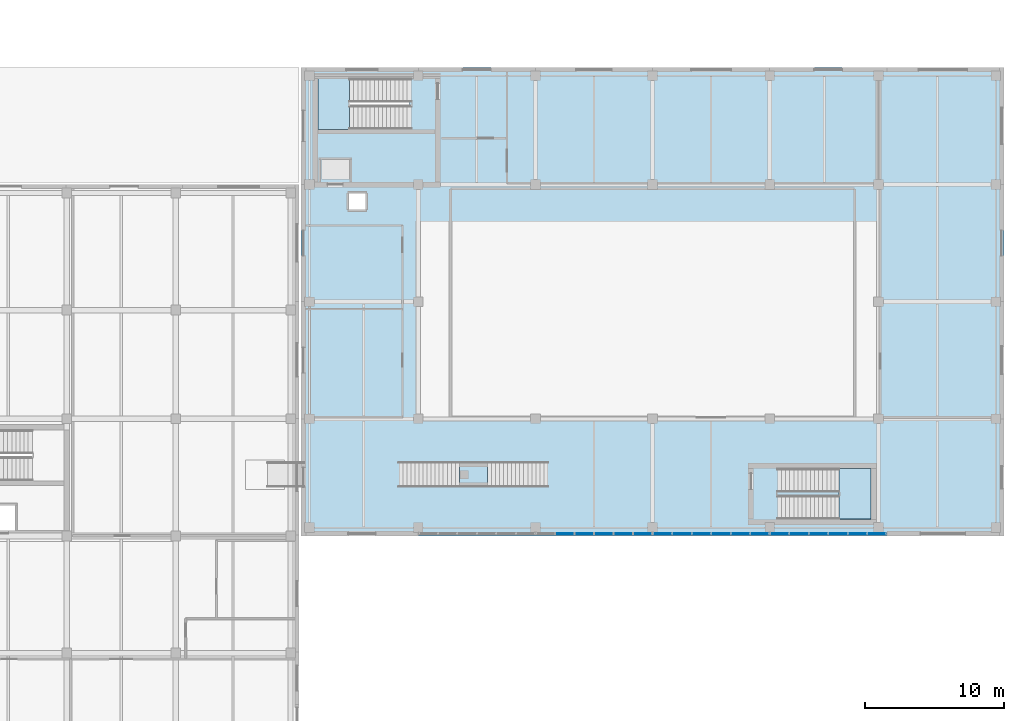
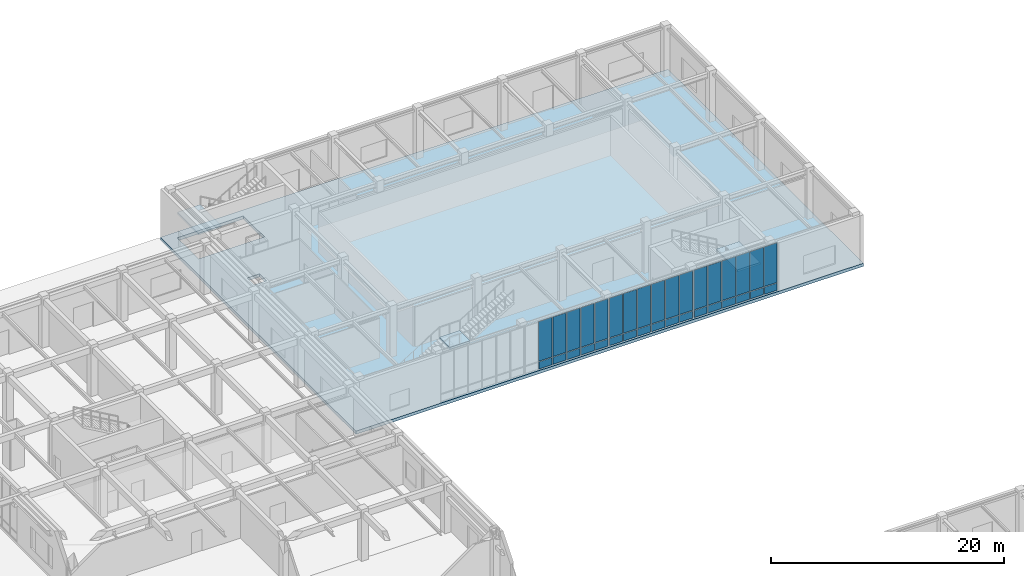
# One storey, part 89 of 122: 34 plates, 4 slabs, 6 elements without a shape of their own.
"""IFC4 building model written with IfcOpenShell, lengths in metres."""

import ifcopenshell
import ifcopenshell.guid

model = None  # the IFC model being written
_history = None  # IfcOwnerHistory: only IFC2X3 demands one
_inside = {}  # id of a spatial element -> (the spatial element, [elements in it])
_under = {}  # id of a project, library or spatial element -> (it, [spatial elements below it])
_declared = {}  # id of a project -> (the project, [libraries it declares])
_typed = {}  # id of a type object -> (the type object, [elements of that type])
_made_of = {}  # id of a material, layer set ... -> (it, [elements and type objects made of it])


def new_model(schema):
    """Start an empty IFC model of exactly this schema.

    Asked for "IFC4X3", IfcOpenShell would pick the latest addendum, in which some entities
    have other attributes; the version numbers below select the first issue.
    IFC2X3 requires an IfcOwnerHistory on every rooted entity: one is made here for all.
    """
    global model, _history
    if schema == "IFC4X3":
        model = ifcopenshell.file(schema_version=(4, 3, 0, 0))
    else:
        model = ifcopenshell.file(schema=schema)
    _inside.clear()
    _under.clear()
    _declared.clear()
    _typed.clear()
    _made_of.clear()
    _history = None
    if model.schema == "IFC2X3":
        org = make("IfcOrganization", Name="unknown")
        user = make(
            "IfcPersonAndOrganization",
            ThePerson=make("IfcPerson", FamilyName="unknown"),
            TheOrganization=org,
        )
        app = make(
            "IfcApplication",
            ApplicationDeveloper=org,
            Version="unknown",
            ApplicationFullName="unknown",
            ApplicationIdentifier="unknown",
        )
        _history = make(
            "IfcOwnerHistory",
            OwningUser=user,
            OwningApplication=app,
            ChangeAction="ADDED",
            CreationDate=0,
        )
    return model


def make(cls, **values):
    """One entity of the class cls with the attributes given. An attribute that is None is left unset."""
    return model.create_entity(
        cls, **{name: value for name, value in values.items() if value is not None}
    )


def rooted(cls, **values):
    """An entity with a GlobalId (a new one), such as an element, a storey or a relation."""
    return make(cls, GlobalId=ifcopenshell.guid.new(), OwnerHistory=_history, **values)


def si_unit(unit_type, name, prefix=None):
    """IfcSIUnit, for example si_unit("LENGTHUNIT", "METRE", prefix="MILLI")."""
    return make("IfcSIUnit", UnitType=unit_type, Prefix=prefix, Name=name)


def assignment(units):
    """IfcUnitAssignment: the units of a project."""
    return None if units is None else make("IfcUnitAssignment", Units=units)


def point(xyz):
    """IfcCartesianPoint."""
    return None if xyz is None else make("IfcCartesianPoint", Coordinates=xyz)


def direction(xyz):
    """IfcDirection."""
    return None if xyz is None else make("IfcDirection", DirectionRatios=xyz)


def frame(location, z_axis=None, x_axis=None):
    """IfcAxis2Placement3D, a coordinate frame: its origin and axes. An axis left out is left unset."""
    return make(
        "IfcAxis2Placement3D",
        Location=point(location),
        Axis=direction(z_axis),
        RefDirection=direction(x_axis),
    )


def frame_2d(location, x_axis=None):
    """IfcAxis2Placement2D, a coordinate frame in the plane: its origin and x axis."""
    return make(
        "IfcAxis2Placement2D", Location=point(location), RefDirection=direction(x_axis)
    )


def origin():
    """The frame at (0, 0, 0) with its axes left unset."""
    return frame((0.0, 0.0, 0.0))


def origin_2d():
    """The frame at (0, 0) in the plane with its x axis left unset."""
    return frame_2d((0.0, 0.0))


def place(relative_to, where):
    """IfcLocalPlacement: puts the frame where relative to a parent placement (None: the world)."""
    return make(
        "IfcLocalPlacement", PlacementRelTo=relative_to, RelativePlacement=where
    )


def context(
    kind, dimensions, precision=None, world=None, true_north=None, identifier=None
):
    """IfcGeometricRepresentationContext, for example the 3D "Model" context."""
    return make(
        "IfcGeometricRepresentationContext",
        ContextIdentifier=identifier,
        ContextType=kind,
        CoordinateSpaceDimension=dimensions,
        Precision=precision,
        WorldCoordinateSystem=world,
        TrueNorth=true_north,
    )


def subcontext(parent, identifier, kind, view, scale=None):
    """IfcGeometricRepresentationSubContext, for example "Body" below "Model"."""
    return make(
        "IfcGeometricRepresentationSubContext",
        ContextIdentifier=identifier,
        ContextType=kind,
        ParentContext=parent,
        TargetScale=scale,
        TargetView=view,
    )


def project(units=None, contexts=None):
    """IfcProject with its units and contexts."""
    return rooted(
        "IfcProject",
        Name="project",
        RepresentationContexts=contexts,
        UnitsInContext=assignment(units),
    )


def spatial(cls, under=None, at=None, **own):
    """A site, building, storey or space (cls), placed at a placement, below another one or the project."""
    s = rooted(cls, ObjectPlacement=at, **own)
    if under is not None:
        _under.setdefault(under.id(), (under, []))[1].append(s)
    return s


def polyline(points):
    """IfcPolyline through the points."""
    return make("IfcPolyline", Points=[point(p) for p in points])


def profile(cls, at=None, kind="AREA", **sizes):
    """A parametric profile (cls). Its sizes go by their IFC names, for example OverallWidth=200.0."""
    return make(cls, ProfileType=kind, Position=at, **sizes)


def rectangle(**sizes):
    """IfcRectangleProfileDef."""
    return profile("IfcRectangleProfileDef", **sizes)


def outline(outer, holes=None, kind="AREA"):
    """IfcArbitraryClosedProfileDef: a profile drawn as a closed curve; with holes, ...WithVoids."""
    if holes is None:
        return make("IfcArbitraryClosedProfileDef", ProfileType=kind, OuterCurve=outer)
    return make(
        "IfcArbitraryProfileDefWithVoids",
        ProfileType=kind,
        OuterCurve=outer,
        InnerCurves=holes,
    )


def extrude(swept, where, along, depth):
    """IfcExtrudedAreaSolid: the profile swept, set in the frame where, extruded along a direction by depth."""
    return make(
        "IfcExtrudedAreaSolid",
        SweptArea=swept,
        Position=where,
        ExtrudedDirection=direction(along),
        Depth=depth,
    )


def shape(context_of_items, identifier, shape_type, items):
    """IfcShapeRepresentation: the items that make up one representation, for example the "Body"."""
    return make(
        "IfcShapeRepresentation",
        ContextOfItems=context_of_items,
        RepresentationIdentifier=identifier,
        RepresentationType=shape_type,
        Items=items,
    )


def material(Name=None, Category=None):
    """IfcMaterial."""
    return make("IfcMaterial", Name=Name, Category=Category)


def layer(
    of_material, thickness, ventilated=None, Name=None, Category=None, Priority=None
):
    """IfcMaterialLayer: one layer of a wall or slab, of a material (None: an air gap)."""
    return make(
        "IfcMaterialLayer",
        Material=of_material,
        LayerThickness=thickness,
        IsVentilated=ventilated,
        Name=Name,
        Category=Category,
        Priority=Priority,
    )


def layer_set(layers, Name=None):
    """IfcMaterialLayerSet."""
    return make("IfcMaterialLayerSet", MaterialLayers=layers, LayerSetName=Name)


def made_of(thing, what):
    """Note that an element or type object is made of a material, layer set ...; save() writes the relation."""
    if what is not None:
        _made_of.setdefault(what.id(), (what, []))[1].append(thing)
    return thing


def type_object(cls, material=None, **own):
    """A type object (cls), such as IfcWallType, which elements share."""
    return made_of(rooted(cls, **own), material)


def element(
    cls,
    number,
    at=None,
    inside=None,
    cuts=None,
    type_object=None,
    material=None,
    context=None,
    identifier="Body",
    shape_type=None,
    held_by="IfcProductDefinitionShape",
    body=None,
    shapes=None,
    **own,
):
    """One element of the class cls, such as IfcWall. Its Tag is "e" and its number.

    at: its placement. inside: the storey or other place that contains it. cuts: it is an
    opening in that element (IfcRelVoidsElement). A single representation is given by context,
    identifier, shape_type and body (its items); several are given by shapes. held_by: the class
    of the entity that holds the representations. save() writes the other relations.
    """
    e = rooted(cls, Tag="e%d" % number, ObjectPlacement=at, **own)
    if body is not None:
        shapes = [shape(context, identifier, shape_type, body)]
    if shapes is not None:
        e.Representation = make(held_by, Representations=shapes)
    if inside is not None:
        _inside.setdefault(inside.id(), (inside, []))[1].append(e)
    if cuts is not None:
        rooted(
            "IfcRelVoidsElement", RelatingBuildingElement=cuts, RelatedOpeningElement=e
        )
    if type_object is not None:
        _typed.setdefault(type_object.id(), (type_object, []))[1].append(e)
    return made_of(e, material)


def aggregate(whole, parts):
    """IfcRelAggregates: a whole, such as a stair, and the parts it consists of."""
    return rooted("IfcRelAggregates", RelatingObject=whole, RelatedObjects=parts)


def save(model, path):
    """Write the relations noted so far, then the file.

    IfcRelAggregates (storeys below a building ...), IfcRelContainedInSpatialStructure (elements
    in a storey), IfcRelDefinesByType, IfcRelAssociatesMaterial and IfcRelDeclares: one each for
    every whole, place, type object, material and project.
    """
    for whole, parts in _under.values():
        aggregate(whole, parts)
    for where, things in _inside.values():
        rooted(
            "IfcRelContainedInSpatialStructure",
            RelatedElements=things,
            RelatingStructure=where,
        )
    for kind, things in _typed.values():
        rooted("IfcRelDefinesByType", RelatedObjects=things, RelatingType=kind)
    for what, things in _made_of.values():
        rooted("IfcRelAssociatesMaterial", RelatedObjects=things, RelatingMaterial=what)
    for by, libraries in _declared.values():
        rooted("IfcRelDeclares", RelatingContext=by, RelatedDefinitions=libraries)
    model.write(path)


model = new_model("IFC4")

# Units and contexts
model_context = context("Model", 3, precision=1e-05, world=origin(), true_north=direction((0.0, 1.0)))
body_context = subcontext(model_context, "Body", "Model", "MODEL_VIEW")
ifc_project = project(units=[si_unit("LENGTHUNIT", "METRE"), si_unit("AREAUNIT", "SQUARE_METRE"), si_unit("VOLUMEUNIT", "CUBIC_METRE"), si_unit("PLANEANGLEUNIT", "RADIAN"), si_unit("MASSUNIT", "GRAM", prefix="KILO")], contexts=[model_context])

# Site, building, storey
site_placement = place(None, origin())
site = spatial("IfcSite", under=ifc_project, at=site_placement, CompositionType="ELEMENT")
building_placement = place(site_placement, origin())
building = spatial("IfcBuilding", under=site, at=building_placement, Name="Zayran Congress Hotel", CompositionType="ELEMENT")
storey_placement = place(building_placement, origin())
storey = spatial("IfcBuildingStorey", under=building, at=storey_placement, Name="L00", CompositionType="ELEMENT", Elevation=0.0)

# Slab
ifc_material_1 = material(Name="Concrete C32/40", Category="concrete")
ifc_layer_1 = layer(ifc_material_1, 0.320068359375)
ifc_layer_set_1 = layer_set([ifc_layer_1], Name="Concrete C32/40")
slab_type_1 = type_object("IfcSlabType", Name="SL-PD-320", PredefinedType="FLOOR", material=ifc_layer_set_1)
slab_1_placement = place(storey_placement, frame((0.0, 0.0, -0.320068359375)))
element("IfcSlab", 1, at=slab_1_placement, inside=storey, type_object=slab_type_1, Name="SLB-V2-L00-009", PredefinedType="FLOOR", context=body_context, shape_type="SweptSolid", body=[
    extrude(outline(polyline([(142.800048828125, 84.39990234375), (193.199951171875, 84.39990234375), (193.199951171875, 118.0), (142.800048828125, 118.0), (142.800048828125, 84.39990234375)]), holes=[polyline([(144.0, 113.56005859375), (150.56005859375, 113.56005859375), (150.56005859375, 117.199951171875), (144.0, 117.199951171875), (144.0, 113.56005859375)]), polyline([(146.199951171875, 107.800048828125), (147.419921875, 107.800048828125), (147.419921875, 108.97998046875), (146.199951171875, 108.97998046875), (146.199951171875, 107.800048828125)])]), origin(), (0.0, 0.0, 1.0), 0.320068359375),
])

# Curtain wall, plates
ifc_material_2 = material(Name="Anodised aluminium and low-E insulated glass", Category="aluminium")
ifc_layer_2 = layer(ifc_material_2, 0.179931640625)
ifc_layer_set_2 = layer_set([ifc_layer_2], Name="Anodised aluminium and low-E insulated glass")
curtain_wall_type_1 = type_object("IfcCurtainWallType", Name="CW-V2S-L00-CW-V21-8395-5080", PredefinedType="USERDEFINED", material=ifc_layer_set_2)
curtain_wall_1_placement = place(storey_placement, origin())
curtain_wall_1 = element("IfcCurtainWall", 2, at=curtain_wall_1_placement, inside=storey, type_object=curtain_wall_type_1, Name="CW-V2S-L00-4", ObjectType="CURTAIN WALL", PredefinedType="USERDEFINED")
ifc_layer_3 = layer(ifc_material_2, 0.028076171875)
ifc_layer_set_3 = layer_set([ifc_layer_3], Name="Anodised aluminium and low-E insulated glass")
plate_type_1 = type_object("IfcPlateType", Name="CWP-GL-1279-4150", PredefinedType="CURTAIN_PANEL", material=ifc_layer_set_3)
plate_1_placement = place(storey_placement, frame((177.12451171875, 84.570068359375, 0.8701171875), z_axis=(0.0, 0.0, 1.0), x_axis=(1.0, 0.0, 0.0)))
plate_1 = element("IfcPlate", 3, at=plate_1_placement, type_object=plate_type_1, Name="CW-V21 Glazed Panel 1", PredefinedType="CURTAIN_PANEL", context=body_context, shape_type="SweptSolid", body=[
    extrude(rectangle(XDim=1.279296875, YDim=0.028076171875, at=origin_2d()), origin(), (0.0, 0.0, 1.0), 4.14990234375),
])
plate_2_placement = place(storey_placement, frame((178.503662109375, 84.570068359375, 0.8701171875), z_axis=(0.0, 0.0, 1.0), x_axis=(1.0, 0.0, 0.0)))
plate_2 = element("IfcPlate", 4, at=plate_2_placement, type_object=plate_type_1, Name="CW-V21 Glazed Panel 2", PredefinedType="CURTAIN_PANEL", context=body_context, shape_type="SweptSolid", body=[
    extrude(rectangle(XDim=1.319091796875, YDim=0.028076171875, at=origin_2d()), origin(), (0.0, 0.0, 1.0), 4.14990234375),
])
plate_3_placement = place(storey_placement, frame((179.90283203125, 84.570068359375, 0.8701171875), z_axis=(0.0, 0.0, 1.0), x_axis=(1.0, 0.0, 0.0)))
plate_3 = element("IfcPlate", 5, at=plate_3_placement, type_object=plate_type_1, Name="CW-V21 Glazed Panel 3", PredefinedType="CURTAIN_PANEL", context=body_context, shape_type="SweptSolid", body=[
    extrude(rectangle(XDim=1.319091796875, YDim=0.028076171875, at=origin_2d()), origin(), (0.0, 0.0, 1.0), 4.14990234375),
])
plate_4_placement = place(storey_placement, frame((181.302001953125, 84.570068359375, 0.8701171875), z_axis=(0.0, 0.0, 1.0), x_axis=(1.0, 0.0, 0.0)))
plate_4 = element("IfcPlate", 6, at=plate_4_placement, type_object=plate_type_1, Name="CW-V21 Glazed Panel 4", PredefinedType="CURTAIN_PANEL", context=body_context, shape_type="SweptSolid", body=[
    extrude(rectangle(XDim=1.319091796875, YDim=0.028076171875, at=origin_2d()), origin(), (0.0, 0.0, 1.0), 4.14990234375),
])
plate_5_placement = place(storey_placement, frame((182.701416015625, 84.570068359375, 0.8701171875), z_axis=(0.0, 0.0, 1.0), x_axis=(1.0, 0.0, 0.0)))
plate_5 = element("IfcPlate", 7, at=plate_5_placement, type_object=plate_type_1, Name="CW-V21 Glazed Panel 5", PredefinedType="CURTAIN_PANEL", context=body_context, shape_type="SweptSolid", body=[
    extrude(rectangle(XDim=1.319091796875, YDim=0.028076171875, at=origin_2d()), origin(), (0.0, 0.0, 1.0), 4.14990234375),
])
plate_6_placement = place(storey_placement, frame((184.080322265625, 84.570068359375, 0.8701171875), z_axis=(0.0, 0.0, 1.0), x_axis=(1.0, 0.0, 0.0)))
plate_6 = element("IfcPlate", 8, at=plate_6_placement, type_object=plate_type_1, Name="CW-V21 Glazed Panel 6", PredefinedType="CURTAIN_PANEL", context=body_context, shape_type="SweptSolid", body=[
    extrude(rectangle(XDim=1.279296875, YDim=0.028076171875, at=origin_2d()), origin(), (0.0, 0.0, 1.0), 4.14990234375),
])
ifc_material_3 = material(Name="Insulated warm bronze aluminium spandrel panel", Category="aluminium")
ifc_layer_4 = layer(ifc_material_3, 0.06005859375)
ifc_layer_set_4 = layer_set([ifc_layer_4], Name="Insulated warm bronze aluminium spandrel panel")
plate_type_2 = type_object("IfcPlateType", Name="CWP-SP-1279-750", PredefinedType="CURTAIN_PANEL", material=ifc_layer_set_4)
plate_7_placement = place(storey_placement, frame((177.12451171875, 84.570068359375, 0.06005859375), z_axis=(0.0, 0.0, 1.0), x_axis=(1.0, 0.0, 0.0)))
plate_7 = element("IfcPlate", 9, at=plate_7_placement, type_object=plate_type_2, Name="CW-V21 Spandrel Panel 1", PredefinedType="CURTAIN_PANEL", context=body_context, shape_type="SweptSolid", body=[
    extrude(rectangle(XDim=1.279296875, YDim=0.06005859375, at=origin_2d()), origin(), (0.0, 0.0, 1.0), 0.75),
])
plate_8_placement = place(storey_placement, frame((178.503662109375, 84.570068359375, 0.06005859375), z_axis=(0.0, 0.0, 1.0), x_axis=(1.0, 0.0, 0.0)))
plate_8 = element("IfcPlate", 10, at=plate_8_placement, type_object=plate_type_2, Name="CW-V21 Spandrel Panel 2", PredefinedType="CURTAIN_PANEL", context=body_context, shape_type="SweptSolid", body=[
    extrude(rectangle(XDim=1.319091796875, YDim=0.06005859375, at=origin_2d()), origin(), (0.0, 0.0, 1.0), 0.75),
])
plate_9_placement = place(storey_placement, frame((179.90283203125, 84.570068359375, 0.06005859375), z_axis=(0.0, 0.0, 1.0), x_axis=(1.0, 0.0, 0.0)))
plate_9 = element("IfcPlate", 11, at=plate_9_placement, type_object=plate_type_2, Name="CW-V21 Spandrel Panel 3", PredefinedType="CURTAIN_PANEL", context=body_context, shape_type="SweptSolid", body=[
    extrude(rectangle(XDim=1.319091796875, YDim=0.06005859375, at=origin_2d()), origin(), (0.0, 0.0, 1.0), 0.75),
])
plate_10_placement = place(storey_placement, frame((181.302001953125, 84.570068359375, 0.06005859375), z_axis=(0.0, 0.0, 1.0), x_axis=(1.0, 0.0, 0.0)))
plate_10 = element("IfcPlate", 12, at=plate_10_placement, type_object=plate_type_2, Name="CW-V21 Spandrel Panel 4", PredefinedType="CURTAIN_PANEL", context=body_context, shape_type="SweptSolid", body=[
    extrude(rectangle(XDim=1.319091796875, YDim=0.06005859375, at=origin_2d()), origin(), (0.0, 0.0, 1.0), 0.75),
])
plate_11_placement = place(storey_placement, frame((182.701416015625, 84.570068359375, 0.06005859375), z_axis=(0.0, 0.0, 1.0), x_axis=(1.0, 0.0, 0.0)))
plate_11 = element("IfcPlate", 13, at=plate_11_placement, type_object=plate_type_2, Name="CW-V21 Spandrel Panel 5", PredefinedType="CURTAIN_PANEL", context=body_context, shape_type="SweptSolid", body=[
    extrude(rectangle(XDim=1.319091796875, YDim=0.06005859375, at=origin_2d()), origin(), (0.0, 0.0, 1.0), 0.75),
])
plate_12_placement = place(storey_placement, frame((184.080322265625, 84.570068359375, 0.06005859375), z_axis=(0.0, 0.0, 1.0), x_axis=(1.0, 0.0, 0.0)))
plate_12 = element("IfcPlate", 14, at=plate_12_placement, type_object=plate_type_2, Name="CW-V21 Spandrel Panel 6", PredefinedType="CURTAIN_PANEL", context=body_context, shape_type="SweptSolid", body=[
    extrude(rectangle(XDim=1.279296875, YDim=0.06005859375, at=origin_2d()), origin(), (0.0, 0.0, 1.0), 0.75),
])
aggregate(curtain_wall_1, [plate_7, plate_1, plate_8, plate_2, plate_9, plate_3, plate_10, plate_4, plate_11, plate_5, plate_12, plate_6])

ifc_layer_5 = layer(ifc_material_2, 0.179931640625)
ifc_layer_set_5 = layer_set([ifc_layer_5], Name="Anodised aluminium and low-E insulated glass")
curtain_wall_type_2 = type_object("IfcCurtainWallType", Name="CW-V2S-L00-CW-V21-8390-5080", PredefinedType="USERDEFINED", material=ifc_layer_set_5)
curtain_wall_2_placement = place(storey_placement, origin())
curtain_wall_2 = element("IfcCurtainWall", 15, at=curtain_wall_2_placement, inside=storey, type_object=curtain_wall_type_2, Name="CW-V2S-L00-2", ObjectType="CURTAIN WALL", PredefinedType="USERDEFINED")
ifc_layer_6 = layer(ifc_material_2, 0.028076171875)
ifc_layer_set_6 = layer_set([ifc_layer_6], Name="Anodised aluminium and low-E insulated glass")
plate_type_3 = type_object("IfcPlateType", Name="CWP-GL-1278-4150", PredefinedType="CURTAIN_PANEL", material=ifc_layer_set_6)
plate_13_placement = place(storey_placement, frame((161.702392578125, 84.570068359375, 0.8701171875), z_axis=(0.0, 0.0, 1.0), x_axis=(1.0, 0.0, 0.0)))
plate_13 = element("IfcPlate", 16, at=plate_13_placement, type_object=plate_type_3, Name="CW-V21 Glazed Panel 2", PredefinedType="CURTAIN_PANEL", context=body_context, shape_type="SweptSolid", body=[
    extrude(rectangle(XDim=1.318359375, YDim=0.028076171875, at=origin_2d()), origin(), (0.0, 0.0, 1.0), 4.14990234375),
])
plate_14_placement = place(storey_placement, frame((163.100830078125, 84.570068359375, 0.8701171875), z_axis=(0.0, 0.0, 1.0), x_axis=(1.0, 0.0, 0.0)))
plate_14 = element("IfcPlate", 17, at=plate_14_placement, type_object=plate_type_3, Name="CW-V21 Glazed Panel 3", PredefinedType="CURTAIN_PANEL", context=body_context, shape_type="SweptSolid", body=[
    extrude(rectangle(XDim=1.318359375, YDim=0.028076171875, at=origin_2d()), origin(), (0.0, 0.0, 1.0), 4.14990234375),
])
plate_15_placement = place(storey_placement, frame((164.499267578125, 84.570068359375, 0.8701171875), z_axis=(0.0, 0.0, 1.0), x_axis=(1.0, 0.0, 0.0)))
plate_15 = element("IfcPlate", 18, at=plate_15_placement, type_object=plate_type_3, Name="CW-V21 Glazed Panel 4", PredefinedType="CURTAIN_PANEL", context=body_context, shape_type="SweptSolid", body=[
    extrude(rectangle(XDim=1.318359375, YDim=0.028076171875, at=origin_2d()), origin(), (0.0, 0.0, 1.0), 4.14990234375),
])
plate_16_placement = place(storey_placement, frame((165.8974609375, 84.570068359375, 0.8701171875), z_axis=(0.0, 0.0, 1.0), x_axis=(1.0, 0.0, 0.0)))
plate_16 = element("IfcPlate", 19, at=plate_16_placement, type_object=plate_type_3, Name="CW-V21 Glazed Panel 5", PredefinedType="CURTAIN_PANEL", context=body_context, shape_type="SweptSolid", body=[
    extrude(rectangle(XDim=1.318359375, YDim=0.028076171875, at=origin_2d()), origin(), (0.0, 0.0, 1.0), 4.14990234375),
])
plate_17_placement = place(storey_placement, frame((167.27587890625, 84.570068359375, 0.8701171875), z_axis=(0.0, 0.0, 1.0), x_axis=(1.0, 0.0, 0.0)))
plate_17 = element("IfcPlate", 20, at=plate_17_placement, type_object=plate_type_3, Name="CW-V21 Glazed Panel 6", PredefinedType="CURTAIN_PANEL", context=body_context, shape_type="SweptSolid", body=[
    extrude(rectangle(XDim=1.2783203125, YDim=0.028076171875, at=origin_2d()), origin(), (0.0, 0.0, 1.0), 4.14990234375),
])

ifc_layer_7 = layer(ifc_material_2, 0.179931640625)
ifc_layer_set_7 = layer_set([ifc_layer_7], Name="Anodised aluminium and low-E insulated glass")
curtain_wall_type_3 = type_object("IfcCurtainWallType", Name="CW-V2S-L00-CW-V22-8390-5080", PredefinedType="USERDEFINED", material=ifc_layer_set_7)
curtain_wall_3_placement = place(storey_placement, origin())
curtain_wall_3 = element("IfcCurtainWall", 21, at=curtain_wall_3_placement, inside=storey, type_object=curtain_wall_type_3, Name="CW-V2S-L00-3", ObjectType="CURTAIN WALL", PredefinedType="USERDEFINED")
plate_18_placement = place(storey_placement, frame((168.72412109375, 84.570068359375, 0.8701171875), z_axis=(0.0, 0.0, 1.0), x_axis=(1.0, 0.0, 0.0)))
plate_18 = element("IfcPlate", 22, at=plate_18_placement, type_object=plate_type_3, Name="CW-V22 Glazed Panel 1", PredefinedType="CURTAIN_PANEL", context=body_context, shape_type="SweptSolid", body=[
    extrude(rectangle(XDim=1.2783203125, YDim=0.028076171875, at=origin_2d()), origin(), (0.0, 0.0, 1.0), 4.14990234375),
])
plate_19_placement = place(storey_placement, frame((170.1025390625, 84.570068359375, 0.8701171875), z_axis=(0.0, 0.0, 1.0), x_axis=(1.0, 0.0, 0.0)))
plate_19 = element("IfcPlate", 23, at=plate_19_placement, type_object=plate_type_3, Name="CW-V22 Glazed Panel 2", PredefinedType="CURTAIN_PANEL", context=body_context, shape_type="SweptSolid", body=[
    extrude(rectangle(XDim=1.318359375, YDim=0.028076171875, at=origin_2d()), origin(), (0.0, 0.0, 1.0), 4.14990234375),
])
plate_20_placement = place(storey_placement, frame((171.500732421875, 84.570068359375, 0.8701171875), z_axis=(0.0, 0.0, 1.0), x_axis=(1.0, 0.0, 0.0)))
plate_20 = element("IfcPlate", 24, at=plate_20_placement, type_object=plate_type_3, Name="CW-V22 Glazed Panel 3", PredefinedType="CURTAIN_PANEL", context=body_context, shape_type="SweptSolid", body=[
    extrude(rectangle(XDim=1.318359375, YDim=0.028076171875, at=origin_2d()), origin(), (0.0, 0.0, 1.0), 4.14990234375),
])
plate_21_placement = place(storey_placement, frame((172.899169921875, 84.570068359375, 0.8701171875), z_axis=(0.0, 0.0, 1.0), x_axis=(1.0, 0.0, 0.0)))
plate_21 = element("IfcPlate", 25, at=plate_21_placement, type_object=plate_type_3, Name="CW-V22 Glazed Panel 4", PredefinedType="CURTAIN_PANEL", context=body_context, shape_type="SweptSolid", body=[
    extrude(rectangle(XDim=1.318359375, YDim=0.028076171875, at=origin_2d()), origin(), (0.0, 0.0, 1.0), 4.14990234375),
])
plate_22_placement = place(storey_placement, frame((174.297607421875, 84.570068359375, 0.8701171875), z_axis=(0.0, 0.0, 1.0), x_axis=(1.0, 0.0, 0.0)))
plate_22 = element("IfcPlate", 26, at=plate_22_placement, type_object=plate_type_3, Name="CW-V22 Glazed Panel 5", PredefinedType="CURTAIN_PANEL", context=body_context, shape_type="SweptSolid", body=[
    extrude(rectangle(XDim=1.318359375, YDim=0.028076171875, at=origin_2d()), origin(), (0.0, 0.0, 1.0), 4.14990234375),
])
plate_23_placement = place(storey_placement, frame((175.67578125, 84.570068359375, 0.8701171875), z_axis=(0.0, 0.0, 1.0), x_axis=(1.0, 0.0, 0.0)))
plate_23 = element("IfcPlate", 27, at=plate_23_placement, type_object=plate_type_3, Name="CW-V22 Glazed Panel 6", PredefinedType="CURTAIN_PANEL", context=body_context, shape_type="SweptSolid", body=[
    extrude(rectangle(XDim=1.2783203125, YDim=0.028076171875, at=origin_2d()), origin(), (0.0, 0.0, 1.0), 4.14990234375),
])

# Plate
ifc_layer_8 = layer(ifc_material_3, 0.06005859375)
ifc_layer_set_8 = layer_set([ifc_layer_8], Name="Insulated warm bronze aluminium spandrel panel")
plate_type_4 = type_object("IfcPlateType", Name="CWP-SP-1278-750", PredefinedType="CURTAIN_PANEL", material=ifc_layer_set_8)
plate_24_placement = place(storey_placement, frame((161.702392578125, 84.570068359375, 0.06005859375), z_axis=(0.0, 0.0, 1.0), x_axis=(1.0, 0.0, 0.0)))
plate_24 = element("IfcPlate", 28, at=plate_24_placement, type_object=plate_type_4, Name="CW-V21 Spandrel Panel 2", PredefinedType="CURTAIN_PANEL", context=body_context, shape_type="SweptSolid", body=[
    extrude(rectangle(XDim=1.318359375, YDim=0.06005859375, at=origin_2d()), origin(), (0.0, 0.0, 1.0), 0.75),
])

plate_25_placement = place(storey_placement, frame((163.100830078125, 84.570068359375, 0.06005859375), z_axis=(0.0, 0.0, 1.0), x_axis=(1.0, 0.0, 0.0)))
plate_25 = element("IfcPlate", 29, at=plate_25_placement, type_object=plate_type_4, Name="CW-V21 Spandrel Panel 3", PredefinedType="CURTAIN_PANEL", context=body_context, shape_type="SweptSolid", body=[
    extrude(rectangle(XDim=1.318359375, YDim=0.06005859375, at=origin_2d()), origin(), (0.0, 0.0, 1.0), 0.75),
])

plate_26_placement = place(storey_placement, frame((164.499267578125, 84.570068359375, 0.06005859375), z_axis=(0.0, 0.0, 1.0), x_axis=(1.0, 0.0, 0.0)))
plate_26 = element("IfcPlate", 30, at=plate_26_placement, type_object=plate_type_4, Name="CW-V21 Spandrel Panel 4", PredefinedType="CURTAIN_PANEL", context=body_context, shape_type="SweptSolid", body=[
    extrude(rectangle(XDim=1.318359375, YDim=0.06005859375, at=origin_2d()), origin(), (0.0, 0.0, 1.0), 0.75),
])

plate_27_placement = place(storey_placement, frame((165.8974609375, 84.570068359375, 0.06005859375), z_axis=(0.0, 0.0, 1.0), x_axis=(1.0, 0.0, 0.0)))
plate_27 = element("IfcPlate", 31, at=plate_27_placement, type_object=plate_type_4, Name="CW-V21 Spandrel Panel 5", PredefinedType="CURTAIN_PANEL", context=body_context, shape_type="SweptSolid", body=[
    extrude(rectangle(XDim=1.318359375, YDim=0.06005859375, at=origin_2d()), origin(), (0.0, 0.0, 1.0), 0.75),
])

plate_28_placement = place(storey_placement, frame((167.27587890625, 84.570068359375, 0.06005859375), z_axis=(0.0, 0.0, 1.0), x_axis=(1.0, 0.0, 0.0)))
plate_28 = element("IfcPlate", 32, at=plate_28_placement, type_object=plate_type_4, Name="CW-V21 Spandrel Panel 6", PredefinedType="CURTAIN_PANEL", context=body_context, shape_type="SweptSolid", body=[
    extrude(rectangle(XDim=1.2783203125, YDim=0.06005859375, at=origin_2d()), origin(), (0.0, 0.0, 1.0), 0.75),
])

aggregate(curtain_wall_2, [plate_24, plate_13, plate_25, plate_14, plate_26, plate_15, plate_27, plate_16, plate_28, plate_17])

plate_29_placement = place(storey_placement, frame((168.72412109375, 84.570068359375, 0.06005859375), z_axis=(0.0, 0.0, 1.0), x_axis=(1.0, 0.0, 0.0)))
plate_29 = element("IfcPlate", 33, at=plate_29_placement, type_object=plate_type_4, Name="CW-V22 Spandrel Panel 1", PredefinedType="CURTAIN_PANEL", context=body_context, shape_type="SweptSolid", body=[
    extrude(rectangle(XDim=1.2783203125, YDim=0.06005859375, at=origin_2d()), origin(), (0.0, 0.0, 1.0), 0.75),
])

plate_30_placement = place(storey_placement, frame((170.1025390625, 84.570068359375, 0.06005859375), z_axis=(0.0, 0.0, 1.0), x_axis=(1.0, 0.0, 0.0)))
plate_30 = element("IfcPlate", 34, at=plate_30_placement, type_object=plate_type_4, Name="CW-V22 Spandrel Panel 2", PredefinedType="CURTAIN_PANEL", context=body_context, shape_type="SweptSolid", body=[
    extrude(rectangle(XDim=1.318359375, YDim=0.06005859375, at=origin_2d()), origin(), (0.0, 0.0, 1.0), 0.75),
])

plate_31_placement = place(storey_placement, frame((171.500732421875, 84.570068359375, 0.06005859375), z_axis=(0.0, 0.0, 1.0), x_axis=(1.0, 0.0, 0.0)))
plate_31 = element("IfcPlate", 35, at=plate_31_placement, type_object=plate_type_4, Name="CW-V22 Spandrel Panel 3", PredefinedType="CURTAIN_PANEL", context=body_context, shape_type="SweptSolid", body=[
    extrude(rectangle(XDim=1.318359375, YDim=0.06005859375, at=origin_2d()), origin(), (0.0, 0.0, 1.0), 0.75),
])

plate_32_placement = place(storey_placement, frame((172.899169921875, 84.570068359375, 0.06005859375), z_axis=(0.0, 0.0, 1.0), x_axis=(1.0, 0.0, 0.0)))
plate_32 = element("IfcPlate", 36, at=plate_32_placement, type_object=plate_type_4, Name="CW-V22 Spandrel Panel 4", PredefinedType="CURTAIN_PANEL", context=body_context, shape_type="SweptSolid", body=[
    extrude(rectangle(XDim=1.318359375, YDim=0.06005859375, at=origin_2d()), origin(), (0.0, 0.0, 1.0), 0.75),
])

plate_33_placement = place(storey_placement, frame((174.297607421875, 84.570068359375, 0.06005859375), z_axis=(0.0, 0.0, 1.0), x_axis=(1.0, 0.0, 0.0)))
plate_33 = element("IfcPlate", 37, at=plate_33_placement, type_object=plate_type_4, Name="CW-V22 Spandrel Panel 5", PredefinedType="CURTAIN_PANEL", context=body_context, shape_type="SweptSolid", body=[
    extrude(rectangle(XDim=1.318359375, YDim=0.06005859375, at=origin_2d()), origin(), (0.0, 0.0, 1.0), 0.75),
])

plate_34_placement = place(storey_placement, frame((175.67578125, 84.570068359375, 0.06005859375), z_axis=(0.0, 0.0, 1.0), x_axis=(1.0, 0.0, 0.0)))
plate_34 = element("IfcPlate", 38, at=plate_34_placement, type_object=plate_type_4, Name="CW-V22 Spandrel Panel 6", PredefinedType="CURTAIN_PANEL", context=body_context, shape_type="SweptSolid", body=[
    extrude(rectangle(XDim=1.2783203125, YDim=0.06005859375, at=origin_2d()), origin(), (0.0, 0.0, 1.0), 0.75),
])

aggregate(curtain_wall_3, [plate_29, plate_18, plate_30, plate_19, plate_31, plate_20, plate_32, plate_21, plate_33, plate_22, plate_34, plate_23])

# Stair, slab
stair_type_1 = type_object("IfcStairType", Name="TP-STR-VOM", PredefinedType="STRAIGHT_RUN_STAIR", material=ifc_material_1)
stair_1_placement = place(storey_placement, origin())
stair_1 = element("IfcStair", 39, at=stair_1_placement, inside=storey, type_object=stair_type_1, Name="Straight Run Concourse Stair ST-BAL-04", PredefinedType="STRAIGHT_RUN_STAIR")
ifc_layer_9 = layer(ifc_material_1, 0.199951171875)
ifc_layer_set_9 = layer_set([ifc_layer_9], Name="Concrete C32/40")
slab_type_2 = type_object("IfcSlabType", Name="TP-LND-1600", PredefinedType="LANDING", material=ifc_layer_set_9)
slab_2_placement = place(storey_placement, frame((0.0, 0.0, 2.5)))
slab_2 = element("IfcSlab", 40, at=slab_2_placement, type_object=slab_type_2, Name="ST-BAL-04 landing 1", PredefinedType="LANDING", context=body_context, shape_type="SweptSolid", body=[
    extrude(outline(polyline([(154.14990234375, 87.89990234375), (156.14990234375, 87.89990234375), (156.14990234375, 89.699951171875), (154.14990234375, 89.699951171875), (154.14990234375, 87.89990234375)])), origin(), (0.0, 0.0, 1.0), 0.199951171875),
])
aggregate(stair_1, [slab_2])

stair_type_2 = type_object("IfcStairType", Name="TP-STR-1700-54", PredefinedType="USERDEFINED", material=ifc_material_1)
stair_2_placement = place(storey_placement, origin())
stair_2 = element("IfcStair", 41, at=stair_2_placement, inside=storey, type_object=stair_type_2, Name="L00 ST-09", ObjectType="TWO_RETURN_STAIR", PredefinedType="USERDEFINED")
ifc_layer_10 = layer(ifc_material_1, 0.199951171875)
ifc_layer_set_10 = layer_set([ifc_layer_10], Name="Concrete C32/40")
slab_type_3 = type_object("IfcSlabType", Name="TP-LND-1700", PredefinedType="LANDING", material=ifc_layer_set_10)
slab_3_placement = place(storey_placement, frame((0.0, 0.0, 2.5)))
slab_3 = element("IfcSlab", 42, at=slab_3_placement, type_object=slab_type_3, Name="ST-09 landing 1", PredefinedType="LANDING", context=body_context, shape_type="SweptSolid", body=[
    extrude(outline(polyline([(146.27490234375, 117.199951171875), (144.0, 117.199951171875), (144.0, 113.56005859375), (146.27490234375, 113.56005859375), (146.27490234375, 117.199951171875)])), origin(), (0.0, 0.0, 1.0), 0.199951171875),
])
aggregate(stair_2, [slab_3])

stair_3_placement = place(storey_placement, origin())
stair_3 = element("IfcStair", 43, at=stair_3_placement, inside=storey, type_object=stair_type_2, Name="L00 ST-10", ObjectType="TWO_RETURN_STAIR", PredefinedType="USERDEFINED")
slab_4_placement = place(storey_placement, frame((0.0, 0.0, 2.5)))
slab_4 = element("IfcSlab", 44, at=slab_4_placement, type_object=slab_type_3, Name="ST-10 landing 1", PredefinedType="LANDING", context=body_context, shape_type="SweptSolid", body=[
    extrude(outline(polyline([(181.375, 85.60009765625), (183.64990234375, 85.60009765625), (183.64990234375, 89.239990234375), (181.375, 89.239990234375), (181.375, 85.60009765625)])), origin(), (0.0, 0.0, 1.0), 0.199951171875),
])
aggregate(stair_3, [slab_4])

save(model, "model.ifc")
